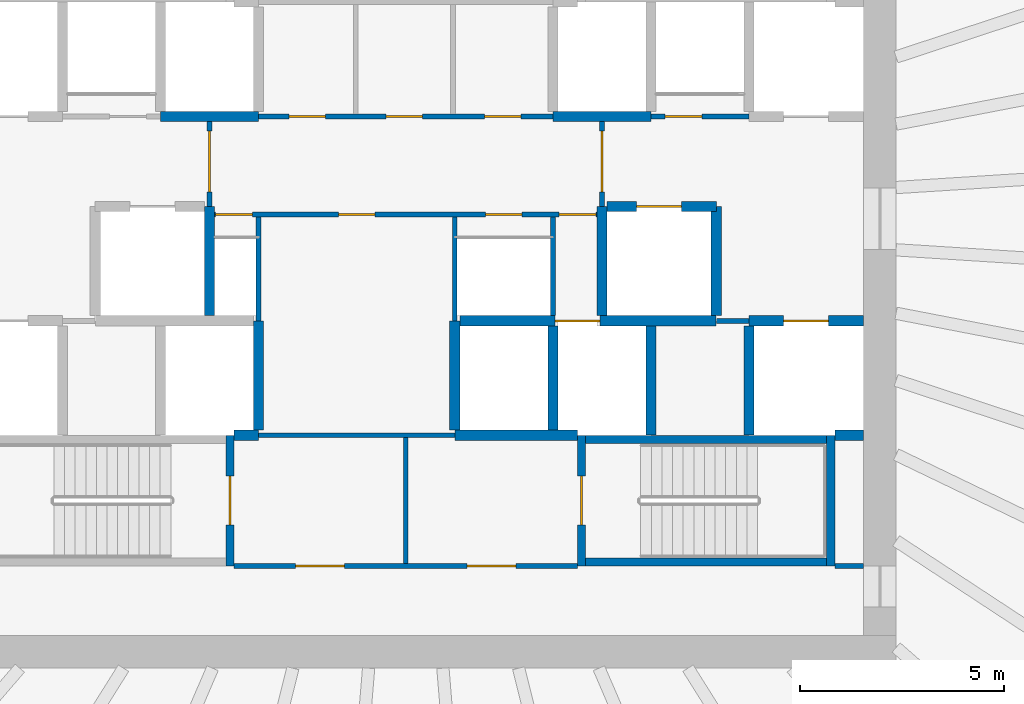
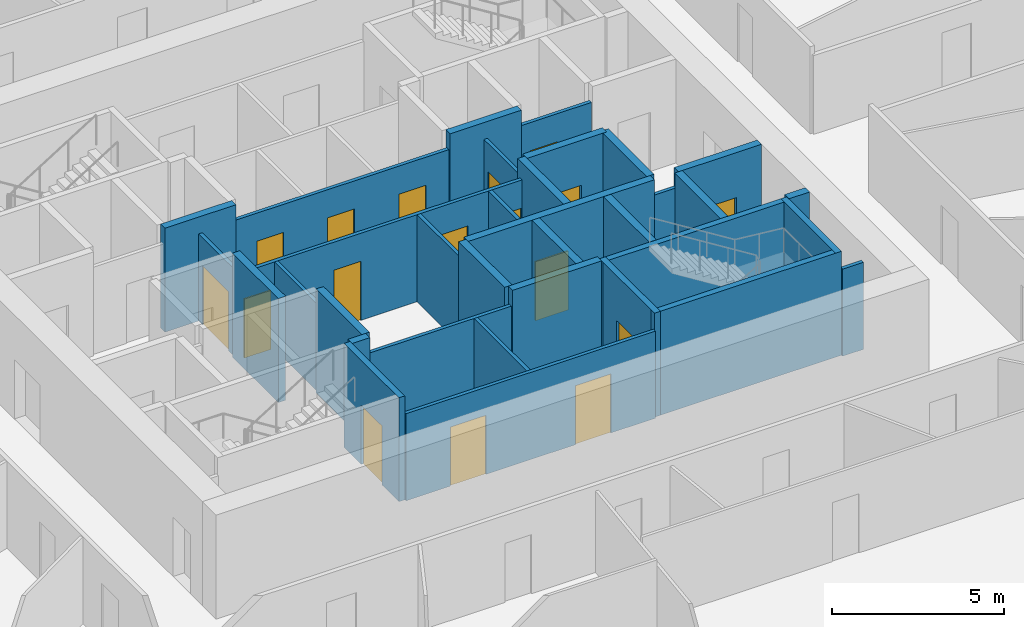
# One storey, part 7 of 10: 34 walls, 17 doors, 17 openings.
"""IFC4 building model written with IfcOpenShell, lengths in metres."""

from ifc_helpers import new_model, si_unit, direction, frame, frame_2d, origin, place, context, subcontext, project, spatial, rectangle, extrude, source, transform, mapped, material, layer, layer_set, type_object, element, fill, save


model = new_model("IFC4")

# Units and contexts
model_context = context("Model", 3, precision=1e-05, world=origin(), true_north=direction((0.0, 1.0)))
body_context = subcontext(model_context, "Body", "Model", "MODEL_VIEW")
ifc_project = project(units=[si_unit("LENGTHUNIT", "METRE"), si_unit("AREAUNIT", "SQUARE_METRE"), si_unit("VOLUMEUNIT", "CUBIC_METRE"), si_unit("PLANEANGLEUNIT", "RADIAN"), si_unit("MASSUNIT", "GRAM", prefix="KILO")], contexts=[model_context])

# Site, building, storey
site_placement = place(None, origin())
site = spatial("IfcSite", under=ifc_project, at=site_placement, CompositionType="ELEMENT")
building_placement = place(site_placement, origin())
building = spatial("IfcBuilding", under=site, at=building_placement, Name="Embergate Tower", CompositionType="ELEMENT")
storey_placement = place(building_placement, frame((0.0, 0.0, 175.5)))
storey = spatial("IfcBuildingStorey", under=building, at=storey_placement, Name="L39", CompositionType="ELEMENT", Elevation=175.5)

# Walls
ifc_material_1 = material(Name="Concrete C50", Category="concrete")
ifc_layer_1 = layer(ifc_material_1, 0.25)
ifc_layer_set_1 = layer_set([ifc_layer_1], Name="Concrete C50")
wall_type_1 = type_object("IfcWallType", Name="Hoistway wall reinforced concrete 250", PredefinedType="SHEAR", material=ifc_layer_set_1)
shared_shape_1 = source(origin(), body_context, "Body", "SweptSolid", [
    extrude(rectangle(XDim=2.675048828125, YDim=0.25, at=frame_2d((1.33740234375, 0.0))), origin(), (0.0, 0.0, 1.0), 3.699951171875),
])
for number, where, z_axis, x_axis, name in (
    (1, (-3.60009765625, -5.175048828125, 0.0), (0.0, 0.0, 1.0), (0.0, 1.0, 0.0), "HW-1 wall"),
    (2, (1.199951171875, -2.5, 0.0), (0.0, 0.0, 1.0), (0.0, -1.0, 0.0), "HW-1 wall"),
    (3, (-4.800048828125, 0.300048828125, 0.0), (0.0, 0.0, 1.0), (0.0, -1.0, 0.0), "HW-1 wall"),
    (4, (4.800048828125, -2.375, 0.0), (0.0, 0.0, 1.0), (0.0, 1.0, 0.0), "HW-1 wall"),
):
    element("IfcWall", number, at=place(storey_placement, frame(where, z_axis=z_axis, x_axis=x_axis)), inside=storey, type_object=wall_type_1, Name=name, PredefinedType="SHEAR", context=body_context, shape_type="MappedRepresentation", body=[
        mapped(shared_shape_1, transform((0.0, 0.0, 0.0))),
    ])

# Wall, opening, door
wall_1_placement = place(storey_placement, frame((7.60009765625, 0.300048828125, 0.0), z_axis=(0.0, 0.0, 1.0), x_axis=(-1.0, 0.0, 0.0)))
wall_1 = element("IfcWall", 5, at=wall_1_placement, inside=storey, type_object=wall_type_1, Name="HW-1 wall", PredefinedType="SHEAR", context=body_context, shape_type="MappedRepresentation", body=[
    mapped(shared_shape_1, transform((0.0, 0.0, 0.0))),
])
shared_shape_2 = source(origin(), body_context, "Body", "SweptSolid", [
    extrude(rectangle(XDim=1.10009765625, YDim=2.10009765625, at=frame_2d((0.550048828125, 1.050048828125))), frame((0.0, 0.135009765625, 0.0), z_axis=(0.0, -1.0, 0.0), x_axis=(1.0, 0.0, 0.0)), (0.0, 0.0, 1.0), 0.27001953125),
])
opening_1_placement = place(wall_1_placement, frame((0.85009765625, 0.0, 0.0)))
opening_1 = element("IfcOpeningElement", 6, at=opening_1_placement, cuts=wall_1, Name="Opening LD", PredefinedType="OPENING", context=body_context, shape_type="MappedRepresentation", body=[
    mapped(shared_shape_2, transform((0.0, 0.0, 0.0))),
])
ifc_material_2 = material(Name="Landing door sliding 1100")
door_type_1 = type_object("IfcDoorType", Name="Landing door sliding 1100", OperationType="SLIDING_TO_LEFT", PredefinedType="DOOR", material=ifc_material_2)
shared_shape_3 = source(origin(), body_context, "Body", "SweptSolid", [
    extrude(rectangle(XDim=1.10009765625, YDim=2.10009765625, at=frame_2d((0.550048828125, 1.050048828125))), frame((0.0, 0.02490234375, 0.0), z_axis=(0.0, -1.0, 0.0), x_axis=(1.0, 0.0, 0.0)), (0.0, 0.0, 1.0), 0.050048828125),
])
door_1_placement = place(opening_1_placement, origin())
door_1 = element("IfcDoor", 7, at=door_1_placement, inside=storey, type_object=door_type_1, Name="LD door", OperationType="SLIDING_TO_LEFT", OverallHeight=2.10009765625, OverallWidth=1.10009765625, PredefinedType="DOOR", context=body_context, shape_type="MappedRepresentation", body=[
    mapped(shared_shape_3, transform((0.0, 0.0, 0.0))),
])
fill(opening_1, door_1)

# Walls
wall_2_placement = place(storey_placement, frame((7.60009765625, -2.375, 0.0), z_axis=(0.0, 0.0, 1.0), x_axis=(0.0, 1.0, 0.0)))
element("IfcWall", 8, at=wall_2_placement, inside=storey, type_object=wall_type_1, Name="HW-1 wall", PredefinedType="SHEAR", context=body_context, shape_type="MappedRepresentation", body=[
    mapped(shared_shape_1, transform((0.0, 0.0, 0.0))),
])
ifc_layer_2 = layer(ifc_material_1, 0.199951171875)
ifc_layer_set_2 = layer_set([ifc_layer_2], Name="Concrete C50")
wall_type_2 = type_object("IfcWallType", Name="Stair enclosure wall reinforced concrete 250", PredefinedType="SHEAR", material=ifc_layer_set_2)
shared_shape_4 = source(origin(), body_context, "Body", "SweptSolid", [
    extrude(rectangle(XDim=6.300048828125, YDim=0.199951171875, at=frame_2d((3.14990234375, 0.0))), origin(), (0.0, 0.0, 1.0), 3.699951171875),
])
for number, where, z_axis, x_axis, name in (
    (9, (4.199951171875, -5.39990234375, 0.0), (0.0, 0.0, 1.0), (1.0, 0.0, 0.0), "SE-1 wall"),
    (10, (4.199951171875, -8.39990234375, 0.0), (0.0, 0.0, 1.0), (1.0, 0.0, 0.0), "SE-1 wall"),
):
    element("IfcWall", number, at=place(storey_placement, frame(where, z_axis=z_axis, x_axis=x_axis)), inside=storey, type_object=wall_type_2, Name=name, PredefinedType="SHEAR", context=body_context, shape_type="MappedRepresentation", body=[
        mapped(shared_shape_4, transform((0.0, 0.0, 0.0))),
    ])
shared_shape_5 = source(origin(), body_context, "Body", "SweptSolid", [
    extrude(rectangle(XDim=2.550048828125, YDim=0.25, at=frame_2d((1.27490234375, 0.0))), origin(), (0.0, 0.0, 1.0), 3.699951171875),
])
wall_3_placement = place(storey_placement, frame((3.60009765625, -5.175048828125, 0.0), z_axis=(0.0, 0.0, 1.0), x_axis=(0.0, 1.0, 0.0)))
element("IfcWall", 11, at=wall_3_placement, inside=storey, type_object=wall_type_1, Name="HW-1 wall", PredefinedType="SHEAR", context=body_context, shape_type="MappedRepresentation", body=[
    mapped(shared_shape_5, transform((0.0, 0.0, 0.0))),
])

# Wall, opening, door
ifc_material_3 = material(Name="Core partition blockwork 120")
ifc_layer_3 = layer(ifc_material_3, 0.1201171875)
ifc_layer_set_3 = layer_set([ifc_layer_3], Name="Core partition blockwork 120")
wall_type_3 = type_object("IfcWallType", Name="Core partition blockwork 120", PredefinedType="PARTITIONING", material=ifc_layer_set_3)
shared_shape_6 = source(origin(), body_context, "Body", "SweptSolid", [
    extrude(rectangle(XDim=2.074951171875, YDim=0.1201171875, at=frame_2d((1.03759765625, 0.0))), origin(), (0.0, 0.0, 1.0), 3.10009765625),
])
wall_4_placement = place(storey_placement, frame((-4.800048828125, 2.375, 0.0), z_axis=(0.0, 0.0, 1.0), x_axis=(0.0, -1.0, 0.0)))
wall_4 = element("IfcWall", 12, at=wall_4_placement, inside=storey, type_object=wall_type_3, Name="IP-3 wall", PredefinedType="PARTITIONING", context=body_context, shape_type="MappedRepresentation", body=[
    mapped(shared_shape_6, transform((0.0, 0.0, 0.0))),
])
shared_shape_7 = source(origin(), body_context, "Body", "SweptSolid", [
    extrude(rectangle(XDim=1.5, YDim=2.10009765625, at=frame_2d((0.75, 1.050048828125))), frame((0.0, 0.070068359375, 0.0), z_axis=(0.0, -1.0, 0.0), x_axis=(1.0, 0.0, 0.0)), (0.0, 0.0, 1.0), 0.14013671875),
])
opening_2_placement = place(wall_4_placement, frame((0.22509765625, 0.0, 0.0)))
opening_2 = element("IfcOpeningElement", 13, at=opening_2_placement, cuts=wall_4, Name="Opening IF-3", PredefinedType="OPENING", context=body_context, shape_type="MappedRepresentation", body=[
    mapped(shared_shape_7, transform((0.0, 0.0, 0.0))),
])
ifc_material_4 = material(Name="Lobby fire door pair 1500")
door_type_2 = type_object("IfcDoorType", Name="Lobby fire door pair 1500", OperationType="DOUBLE_DOOR_SINGLE_SWING", PredefinedType="DOOR", material=ifc_material_4)
shared_shape_8 = source(origin(), body_context, "Body", "SweptSolid", [
    extrude(rectangle(XDim=1.5, YDim=2.10009765625, at=frame_2d((0.75, 1.050048828125))), frame((0.0, 0.02490234375, 0.0), z_axis=(0.0, -1.0, 0.0), x_axis=(1.0, 0.0, 0.0)), (0.0, 0.0, 1.0), 0.050048828125),
])
door_2_placement = place(opening_2_placement, origin())
door_2 = element("IfcDoor", 14, at=door_2_placement, inside=storey, type_object=door_type_2, Name="IF-3 door", OperationType="DOUBLE_DOOR_SINGLE_SWING", OverallHeight=2.10009765625, OverallWidth=1.5, PredefinedType="DOOR", context=body_context, shape_type="MappedRepresentation", body=[
    mapped(shared_shape_8, transform((0.0, 0.0, 0.0))),
])
fill(opening_2, door_2)

wall_5_placement = place(storey_placement, frame((4.800048828125, 0.300048828125, 0.0), z_axis=(0.0, 0.0, 1.0), x_axis=(0.0, 1.0, 0.0)))
wall_5 = element("IfcWall", 15, at=wall_5_placement, inside=storey, type_object=wall_type_3, Name="IP-3 wall", PredefinedType="PARTITIONING", context=body_context, shape_type="MappedRepresentation", body=[
    mapped(shared_shape_6, transform((0.0, 0.0, 0.0))),
])
opening_3_placement = place(wall_5_placement, frame((0.35009765625, 0.0, 0.0)))
opening_3 = element("IfcOpeningElement", 16, at=opening_3_placement, cuts=wall_5, Name="Opening IF-3", PredefinedType="OPENING", context=body_context, shape_type="MappedRepresentation", body=[
    mapped(shared_shape_7, transform((0.0, 0.0, 0.0))),
])
door_3_placement = place(opening_3_placement, origin())
door_3 = element("IfcDoor", 17, at=door_3_placement, inside=storey, type_object=door_type_2, Name="IF-3 door", OperationType="DOUBLE_DOOR_SINGLE_SWING", OverallHeight=2.10009765625, OverallWidth=1.5, PredefinedType="DOOR", context=body_context, shape_type="MappedRepresentation", body=[
    mapped(shared_shape_8, transform((0.0, 0.0, 0.0))),
])
fill(opening_3, door_3)

shared_shape_9 = source(origin(), body_context, "Body", "SweptSolid", [
    extrude(rectangle(XDim=3.199951171875, YDim=0.199951171875, at=frame_2d((1.60009765625, 0.0))), origin(), (0.0, 0.0, 1.0), 3.699951171875),
])
wall_6_placement = place(storey_placement, frame((-4.300048828125, -8.5, 0.0), z_axis=(0.0, 0.0, 1.0), x_axis=(0.0, 1.0, 0.0)))
wall_6 = element("IfcWall", 18, at=wall_6_placement, inside=storey, type_object=wall_type_2, Name="SE-1 wall", PredefinedType="SHEAR", context=body_context, shape_type="MappedRepresentation", body=[
    mapped(shared_shape_9, transform((0.0, 0.0, 0.0))),
])
shared_shape_10 = source(origin(), body_context, "Body", "SweptSolid", [
    extrude(rectangle(XDim=1.199951171875, YDim=2.10009765625, at=frame_2d((0.60009765625, 1.050048828125))), frame((0.0, 0.10986328125, 0.0), z_axis=(0.0, -1.0, 0.0), x_axis=(1.0, 0.0, 0.0)), (0.0, 0.0, 1.0), 0.219970703125),
])
opening_4_placement = place(wall_6_placement, frame((1.0, 0.0, 0.0)))
opening_4 = element("IfcOpeningElement", 19, at=opening_4_placement, cuts=wall_6, Name="Opening IF-2", PredefinedType="OPENING", context=body_context, shape_type="MappedRepresentation", body=[
    mapped(shared_shape_10, transform((0.0, 0.0, 0.0))),
])
ifc_material_5 = material(Name="Stair enclosure door 1200")
door_type_3 = type_object("IfcDoorType", Name="Stair enclosure door 1200", OperationType="SINGLE_SWING_LEFT", PredefinedType="DOOR", material=ifc_material_5)
shared_shape_11 = source(origin(), body_context, "Body", "SweptSolid", [
    extrude(rectangle(XDim=1.199951171875, YDim=2.10009765625, at=frame_2d((0.60009765625, 1.050048828125))), frame((0.0, 0.02490234375, 0.0), z_axis=(0.0, -1.0, 0.0), x_axis=(1.0, 0.0, 0.0)), (0.0, 0.0, 1.0), 0.050048828125),
])
door_4_placement = place(opening_4_placement, origin())
door_4 = element("IfcDoor", 20, at=door_4_placement, inside=storey, type_object=door_type_3, Name="IF-2 door", OperationType="SINGLE_SWING_RIGHT", OverallHeight=2.10009765625, OverallWidth=1.199951171875, PredefinedType="DOOR", context=body_context, shape_type="MappedRepresentation", body=[
    mapped(shared_shape_11, transform((0.0, 0.0, 0.0))),
])
fill(opening_4, door_4)

wall_7_placement = place(storey_placement, frame((4.300048828125, -5.300048828125, 0.0), z_axis=(0.0, 0.0, 1.0), x_axis=(0.0, -1.0, 0.0)))
wall_7 = element("IfcWall", 21, at=wall_7_placement, inside=storey, type_object=wall_type_2, Name="SE-1 wall", PredefinedType="SHEAR", context=body_context, shape_type="MappedRepresentation", body=[
    mapped(shared_shape_9, transform((0.0, 0.0, 0.0))),
])
opening_5_placement = place(wall_7_placement, frame((1.0, 0.0, 0.0)))
opening_5 = element("IfcOpeningElement", 22, at=opening_5_placement, cuts=wall_7, Name="Opening IF-2", PredefinedType="OPENING", context=body_context, shape_type="MappedRepresentation", body=[
    mapped(shared_shape_10, transform((0.0, 0.0, 0.0))),
])
door_5_placement = place(opening_5_placement, origin())
door_5 = element("IfcDoor", 23, at=door_5_placement, inside=storey, type_object=door_type_3, Name="IF-2 door", OperationType="SINGLE_SWING_RIGHT", OverallHeight=2.10009765625, OverallWidth=1.199951171875, PredefinedType="DOOR", context=body_context, shape_type="MappedRepresentation", body=[
    mapped(shared_shape_11, transform((0.0, 0.0, 0.0))),
])
fill(opening_5, door_5)

# Walls
shared_shape_12 = source(origin(), body_context, "Body", "SweptSolid", [
    extrude(rectangle(XDim=2.39990234375, YDim=0.25, at=frame_2d((1.199951171875, 0.0))), origin(), (0.0, 0.0, 1.0), 3.699951171875),
])
for number, where, z_axis, x_axis, name in (
    (24, (-6.0, 2.5, 0.0), (0.0, 0.0, 1.0), (1.0, 0.0, 0.0), "HW-1 wall"),
    (25, (3.60009765625, 2.5, 0.0), (0.0, 0.0, 1.0), (1.0, 0.0, 0.0), "HW-1 wall"),
):
    element("IfcWall", number, at=place(storey_placement, frame(where, z_axis=z_axis, x_axis=x_axis)), inside=storey, type_object=wall_type_1, Name=name, PredefinedType="SHEAR", context=body_context, shape_type="MappedRepresentation", body=[
        mapped(shared_shape_12, transform((0.0, 0.0, 0.0))),
    ])

# Wall, openings, doors
shared_shape_13 = source(origin(), body_context, "Body", "SweptSolid", [
    extrude(rectangle(XDim=8.39990234375, YDim=0.1201171875, at=frame_2d((4.199951171875, 0.0))), origin(), (0.0, 0.0, 1.0), 3.10009765625),
])
wall_8_placement = place(storey_placement, frame((-4.199951171875, -8.5, 0.0), z_axis=(0.0, 0.0, 1.0), x_axis=(1.0, 0.0, 0.0)))
wall_8 = element("IfcWall", 26, at=wall_8_placement, inside=storey, type_object=wall_type_3, Name="IP-3 wall", PredefinedType="PARTITIONING", context=body_context, shape_type="MappedRepresentation", body=[
    mapped(shared_shape_13, transform((0.0, 0.0, 0.0))),
])
shared_shape_14 = source(origin(), body_context, "Body", "SweptSolid", [
    extrude(rectangle(XDim=1.199951171875, YDim=2.10009765625, at=frame_2d((0.60009765625, 1.050048828125))), frame((0.0, 0.070068359375, 0.0), z_axis=(0.0, -1.0, 0.0), x_axis=(1.0, 0.0, 0.0)), (0.0, 0.0, 1.0), 0.14013671875),
])
opening_6_placement = place(wall_8_placement, frame((1.5, 0.0, 0.0)))
opening_6 = element("IfcOpeningElement", 27, at=opening_6_placement, cuts=wall_8, Name="Opening IF-3f", PredefinedType="OPENING", context=body_context, shape_type="MappedRepresentation", body=[
    mapped(shared_shape_14, transform((0.0, 0.0, 0.0))),
])
opening_7_placement = place(wall_8_placement, frame((5.699951171875, 0.0, 0.0)))
opening_7 = element("IfcOpeningElement", 28, at=opening_7_placement, cuts=wall_8, Name="Opening IF-3f", PredefinedType="OPENING", context=body_context, shape_type="MappedRepresentation", body=[
    mapped(shared_shape_14, transform((0.0, 0.0, 0.0))),
])
ifc_material_6 = material(Name="Lobby fire door pair 1200")
door_type_4 = type_object("IfcDoorType", Name="Lobby fire door pair 1200", OperationType="DOUBLE_DOOR_SINGLE_SWING", PredefinedType="DOOR", material=ifc_material_6)
door_6_placement = place(opening_6_placement, origin())
door_6 = element("IfcDoor", 29, at=door_6_placement, inside=storey, type_object=door_type_4, Name="IF-3 door", OperationType="DOUBLE_DOOR_SINGLE_SWING", OverallHeight=2.10009765625, OverallWidth=1.199951171875, PredefinedType="DOOR", context=body_context, shape_type="MappedRepresentation", body=[
    mapped(shared_shape_11, transform((0.0, 0.0, 0.0))),
])
fill(opening_6, door_6)
door_7_placement = place(opening_7_placement, origin())
door_7 = element("IfcDoor", 30, at=door_7_placement, inside=storey, type_object=door_type_4, Name="IF-3 door", OperationType="DOUBLE_DOOR_SINGLE_SWING", OverallHeight=2.10009765625, OverallWidth=1.199951171875, PredefinedType="DOOR", context=body_context, shape_type="MappedRepresentation", body=[
    mapped(shared_shape_11, transform((0.0, 0.0, 0.0))),
])
fill(opening_7, door_7)

# Wall, opening, door
shared_shape_15 = source(origin(), body_context, "Body", "SweptSolid", [
    extrude(rectangle(XDim=2.800048828125, YDim=0.25, at=frame_2d((1.39990234375, 0.0))), origin(), (0.0, 0.0, 1.0), 3.699951171875),
])
wall_9_placement = place(storey_placement, frame((11.199951171875, -2.5, 0.0), z_axis=(0.0, 0.0, 1.0), x_axis=(-1.0, 0.0, 0.0)))
wall_9 = element("IfcWall", 31, at=wall_9_placement, inside=storey, type_object=wall_type_1, Name="HW-1 wall", PredefinedType="SHEAR", context=body_context, shape_type="MappedRepresentation", body=[
    mapped(shared_shape_15, transform((0.0, 0.0, 0.0))),
])
opening_8_placement = place(wall_9_placement, frame((0.85009765625, 0.0, 0.0)))
opening_8 = element("IfcOpeningElement", 32, at=opening_8_placement, cuts=wall_9, Name="Opening LD", PredefinedType="OPENING", context=body_context, shape_type="MappedRepresentation", body=[
    mapped(shared_shape_2, transform((0.0, 0.0, 0.0))),
])
door_8_placement = place(opening_8_placement, origin())
door_8 = element("IfcDoor", 33, at=door_8_placement, inside=storey, type_object=door_type_1, Name="LD door", OperationType="SLIDING_TO_RIGHT", OverallHeight=2.10009765625, OverallWidth=1.10009765625, PredefinedType="DOOR", context=body_context, shape_type="MappedRepresentation", body=[
    mapped(shared_shape_3, transform((0.0, 0.0, 0.0))),
])
fill(opening_8, door_8)

shared_shape_16 = source(origin(), body_context, "Body", "SweptSolid", [
    extrude(rectangle(XDim=2.39990234375, YDim=0.1201171875, at=frame_2d((1.199951171875, 0.0))), origin(), (0.0, 0.0, 1.0), 3.10009765625),
])
wall_10_placement = place(storey_placement, frame((6.0, 2.5, 0.0), z_axis=(0.0, 0.0, 1.0), x_axis=(1.0, 0.0, 0.0)))
wall_10 = element("IfcWall", 34, at=wall_10_placement, inside=storey, type_object=wall_type_3, Name="IP-3 wall", PredefinedType="PARTITIONING", context=body_context, shape_type="MappedRepresentation", body=[
    mapped(shared_shape_16, transform((0.0, 0.0, 0.0))),
])
shared_shape_17 = source(origin(), body_context, "Body", "SweptSolid", [
    extrude(rectangle(XDim=0.89990234375, YDim=2.10009765625, at=frame_2d((0.449951171875, 1.050048828125))), frame((0.0, 0.070068359375, 0.0), z_axis=(0.0, -1.0, 0.0), x_axis=(1.0, 0.0, 0.0)), (0.0, 0.0, 1.0), 0.14013671875),
])
opening_9_placement = place(wall_10_placement, frame((0.35009765625, 0.0, 0.0)))
opening_9 = element("IfcOpeningElement", 35, at=opening_9_placement, cuts=wall_10, Name="Opening ID-1", PredefinedType="OPENING", context=body_context, shape_type="MappedRepresentation", body=[
    mapped(shared_shape_17, transform((0.0, 0.0, 0.0))),
])
ifc_material_7 = material(Name="Interior door 900")
door_type_5 = type_object("IfcDoorType", Name="Interior door 900", OperationType="SINGLE_SWING_LEFT", PredefinedType="DOOR", material=ifc_material_7)
shared_shape_18 = source(origin(), body_context, "Body", "SweptSolid", [
    extrude(rectangle(XDim=0.89990234375, YDim=2.10009765625, at=frame_2d((0.449951171875, 1.050048828125))), frame((0.0, 0.02490234375, 0.0), z_axis=(0.0, -1.0, 0.0), x_axis=(1.0, 0.0, 0.0)), (0.0, 0.0, 1.0), 0.050048828125),
])
door_9_placement = place(opening_9_placement, origin())
door_9 = element("IfcDoor", 36, at=door_9_placement, inside=storey, type_object=door_type_5, Name="ID-1 door", OperationType="SINGLE_SWING_RIGHT", OverallHeight=2.10009765625, OverallWidth=0.89990234375, PredefinedType="DOOR", context=body_context, shape_type="MappedRepresentation", body=[
    mapped(shared_shape_18, transform((0.0, 0.0, 0.0))),
])
fill(opening_9, door_9)

# Wall
shared_shape_19 = source(origin(), body_context, "Body", "SweptSolid", [
    extrude(rectangle(XDim=0.599853515625, YDim=0.25, at=frame_2d((0.2998046875, 0.0))), origin(), (0.0, 0.0, 1.0), 3.699951171875),
])
wall_11_placement = place(storey_placement, frame((-4.199951171875, -5.300048828125, 0.0), z_axis=(0.0, 0.0, 1.0), x_axis=(1.0, 0.0, 0.0)))
element("IfcWall", 37, at=wall_11_placement, inside=storey, type_object=wall_type_1, Name="HW-1 wall", PredefinedType="SHEAR", context=body_context, shape_type="MappedRepresentation", body=[
    mapped(shared_shape_19, transform((0.0, 0.0, 0.0))),
])

# Wall, opening, door
shared_shape_20 = source(origin(), body_context, "Body", "SweptSolid", [
    extrude(rectangle(XDim=6.27294921875, YDim=0.25, at=frame_2d((3.136474609375, 0.0))), origin(), (0.0, 0.0, 1.0), 3.699951171875),
])
wall_12_placement = place(storey_placement, frame((7.597900390625, -2.5, 0.0), z_axis=(0.0, 0.0, 1.0), x_axis=(-1.0, 0.0, 0.0)))
wall_12 = element("IfcWall", 38, at=wall_12_placement, inside=storey, type_object=wall_type_1, Name="HW-1 wall", PredefinedType="SHEAR", context=body_context, shape_type="MappedRepresentation", body=[
    mapped(shared_shape_20, transform((0.0, 0.0, 0.0))),
])
opening_10_placement = place(wall_12_placement, frame((2.847900390625, 0.0, 0.0)))
opening_10 = element("IfcOpeningElement", 39, at=opening_10_placement, cuts=wall_12, Name="Opening LD", PredefinedType="OPENING", context=body_context, shape_type="MappedRepresentation", body=[
    mapped(shared_shape_2, transform((0.0, 0.0, 0.0))),
])
door_10_placement = place(opening_10_placement, origin())
door_10 = element("IfcDoor", 40, at=door_10_placement, inside=storey, type_object=door_type_1, Name="LD door", OperationType="SLIDING_TO_LEFT", OverallHeight=2.10009765625, OverallWidth=1.10009765625, PredefinedType="DOOR", context=body_context, shape_type="MappedRepresentation", body=[
    mapped(shared_shape_3, transform((0.0, 0.0, 0.0))),
])
fill(opening_10, door_10)

# Wall
shared_shape_21 = source(origin(), body_context, "Body", "SweptSolid", [
    extrude(rectangle(XDim=3.0, YDim=0.25, at=frame_2d((1.5, 0.0))), origin(), (0.0, 0.0, 1.0), 3.699951171875),
])
wall_13_placement = place(storey_placement, frame((1.199951171875, -5.300048828125, 0.0), z_axis=(0.0, 0.0, 1.0), x_axis=(1.0, 0.0, 0.0)))
element("IfcWall", 41, at=wall_13_placement, inside=storey, type_object=wall_type_1, Name="HW-1 wall", PredefinedType="SHEAR", context=body_context, shape_type="MappedRepresentation", body=[
    mapped(shared_shape_21, transform((0.0, 0.0, 0.0))),
])

# Wall, openings, doors
shared_shape_22 = source(origin(), body_context, "Body", "SweptSolid", [
    extrude(rectangle(XDim=9.35009765625, YDim=0.1201171875, at=frame_2d((4.675048828125, 0.0))), origin(), (0.0, 0.0, 1.0), 3.10009765625),
])
wall_14_placement = place(storey_placement, frame((-4.675048828125, 0.10009765625, 0.0), z_axis=(0.0, 0.0, 1.0), x_axis=(1.0, 0.0, 0.0)))
wall_14 = element("IfcWall", 42, at=wall_14_placement, inside=storey, type_object=wall_type_3, Name="IP-3 wall", PredefinedType="PARTITIONING", context=body_context, shape_type="MappedRepresentation", body=[
    mapped(shared_shape_22, transform((0.0, 0.0, 0.0))),
])
opening_11_placement = place(wall_14_placement, frame((8.425048828125, 0.0, 0.0)))
opening_11 = element("IfcOpeningElement", 43, at=opening_11_placement, cuts=wall_14, Name="Opening IF-3c", PredefinedType="OPENING", context=body_context, shape_type="MappedRepresentation", body=[
    mapped(shared_shape_17, transform((0.0, 0.0, 0.0))),
])
opening_12_placement = place(wall_14_placement, frame((0.02490234375, 0.0, 0.0)))
opening_12 = element("IfcOpeningElement", 44, at=opening_12_placement, cuts=wall_14, Name="Opening ID-1", PredefinedType="OPENING", context=body_context, shape_type="MappedRepresentation", body=[
    mapped(shared_shape_17, transform((0.0, 0.0, 0.0))),
])
opening_13_placement = place(wall_14_placement, frame((6.625, 0.0, 0.0)))
opening_13 = element("IfcOpeningElement", 45, at=opening_13_placement, cuts=wall_14, Name="Opening ID-1", PredefinedType="OPENING", context=body_context, shape_type="MappedRepresentation", body=[
    mapped(shared_shape_17, transform((0.0, 0.0, 0.0))),
])
opening_14_placement = place(wall_14_placement, frame((3.02490234375, 0.0, 0.0)))
opening_14 = element("IfcOpeningElement", 46, at=opening_14_placement, cuts=wall_14, Name="Opening ID-1", PredefinedType="OPENING", context=body_context, shape_type="MappedRepresentation", body=[
    mapped(shared_shape_17, transform((0.0, 0.0, 0.0))),
])
ifc_material_8 = material(Name="Lobby fire door pair 900")
door_type_6 = type_object("IfcDoorType", Name="Lobby fire door pair 900", OperationType="DOUBLE_DOOR_SINGLE_SWING", PredefinedType="DOOR", material=ifc_material_8)
door_11_placement = place(opening_11_placement, origin())
door_11 = element("IfcDoor", 47, at=door_11_placement, inside=storey, type_object=door_type_6, Name="IF-3 door", OperationType="DOUBLE_DOOR_SINGLE_SWING", OverallHeight=2.10009765625, OverallWidth=0.89990234375, PredefinedType="DOOR", context=body_context, shape_type="MappedRepresentation", body=[
    mapped(shared_shape_18, transform((0.0, 0.0, 0.0))),
])
fill(opening_11, door_11)
door_12_placement = place(opening_12_placement, origin())
door_12 = element("IfcDoor", 48, at=door_12_placement, inside=storey, type_object=door_type_5, Name="ID-1 door", OperationType="SINGLE_SWING_LEFT", OverallHeight=2.10009765625, OverallWidth=0.89990234375, PredefinedType="DOOR", context=body_context, shape_type="MappedRepresentation", body=[
    mapped(shared_shape_18, transform((0.0, 0.0, 0.0))),
])
fill(opening_12, door_12)
door_13_placement = place(opening_13_placement, origin())
door_13 = element("IfcDoor", 49, at=door_13_placement, inside=storey, type_object=door_type_5, Name="ID-1 door", OperationType="SINGLE_SWING_LEFT", OverallHeight=2.10009765625, OverallWidth=0.89990234375, PredefinedType="DOOR", context=body_context, shape_type="MappedRepresentation", body=[
    mapped(shared_shape_18, transform((0.0, 0.0, 0.0))),
])
fill(opening_13, door_13)
door_14_placement = place(opening_14_placement, origin())
door_14 = element("IfcDoor", 50, at=door_14_placement, inside=storey, type_object=door_type_5, Name="ID-1 door", OperationType="SINGLE_SWING_RIGHT", OverallHeight=2.10009765625, OverallWidth=0.89990234375, PredefinedType="DOOR", context=body_context, shape_type="MappedRepresentation", body=[
    mapped(shared_shape_18, transform((0.0, 0.0, 0.0))),
])
fill(opening_14, door_14)

shared_shape_23 = source(origin(), body_context, "Body", "SweptSolid", [
    extrude(rectangle(XDim=7.2001953125, YDim=0.1201171875, at=frame_2d((3.60009765625, 0.0))), origin(), (0.0, 0.0, 1.0), 3.10009765625),
])
wall_15_placement = place(storey_placement, frame((3.60009765625, 2.5, 0.0), z_axis=(0.0, 0.0, 1.0), x_axis=(-1.0, 0.0, 0.0)))
wall_15 = element("IfcWall", 51, at=wall_15_placement, inside=storey, type_object=wall_type_3, Name="IP-3 wall", PredefinedType="PARTITIONING", context=body_context, shape_type="MappedRepresentation", body=[
    mapped(shared_shape_23, transform((0.0, 0.0, 0.0))),
])
opening_15_placement = place(wall_15_placement, frame((5.56201171875, 0.0, 0.0)))
opening_15 = element("IfcOpeningElement", 52, at=opening_15_placement, cuts=wall_15, Name="Opening ID-1", PredefinedType="OPENING", context=body_context, shape_type="MappedRepresentation", body=[
    mapped(shared_shape_17, transform((0.0, 0.0, 0.0))),
])
opening_16_placement = place(wall_15_placement, frame((3.18603515625, 0.0, 0.0)))
opening_16 = element("IfcOpeningElement", 53, at=opening_16_placement, cuts=wall_15, Name="Opening ID-1", PredefinedType="OPENING", context=body_context, shape_type="MappedRepresentation", body=[
    mapped(shared_shape_17, transform((0.0, 0.0, 0.0))),
])
opening_17_placement = place(wall_15_placement, frame((0.77392578125, 0.0, 0.0)))
opening_17 = element("IfcOpeningElement", 54, at=opening_17_placement, cuts=wall_15, Name="Opening ID-1", PredefinedType="OPENING", context=body_context, shape_type="MappedRepresentation", body=[
    mapped(shared_shape_17, transform((0.0, 0.0, 0.0))),
])
door_15_placement = place(opening_15_placement, origin())
door_15 = element("IfcDoor", 55, at=door_15_placement, inside=storey, type_object=door_type_5, Name="ID-1 door", OperationType="SINGLE_SWING_LEFT", OverallHeight=2.10009765625, OverallWidth=0.89990234375, PredefinedType="DOOR", context=body_context, shape_type="MappedRepresentation", body=[
    mapped(shared_shape_18, transform((0.0, 0.0, 0.0))),
])
fill(opening_15, door_15)
door_16_placement = place(opening_16_placement, origin())
door_16 = element("IfcDoor", 56, at=door_16_placement, inside=storey, type_object=door_type_5, Name="ID-1 door", OperationType="SINGLE_SWING_LEFT", OverallHeight=2.10009765625, OverallWidth=0.89990234375, PredefinedType="DOOR", context=body_context, shape_type="MappedRepresentation", body=[
    mapped(shared_shape_18, transform((0.0, 0.0, 0.0))),
])
fill(opening_16, door_16)
door_17_placement = place(opening_17_placement, origin())
door_17 = element("IfcDoor", 57, at=door_17_placement, inside=storey, type_object=door_type_5, Name="ID-1 door", OperationType="SINGLE_SWING_RIGHT", OverallHeight=2.10009765625, OverallWidth=0.89990234375, PredefinedType="DOOR", context=body_context, shape_type="MappedRepresentation", body=[
    mapped(shared_shape_18, transform((0.0, 0.0, 0.0))),
])
fill(opening_17, door_17)

# Walls
shared_shape_24 = source(origin(), body_context, "Body", "SweptSolid", [
    extrude(rectangle(XDim=2.5400390625, YDim=0.1201171875, at=frame_2d((1.27001953125, 0.0))), origin(), (0.0, 0.0, 1.0), 3.10009765625),
])
for number, where, z_axis, x_axis, name in (
    (58, (-3.60009765625, -2.5, 0.0), (0.0, 0.0, 1.0), (0.0, 1.0, 0.0), "IP-3 wall"),
    (59, (1.199951171875, 0.0400390625, 0.0), (0.0, 0.0, 1.0), (0.0, -1.0, 0.0), "IP-3 wall"),
):
    element("IfcWall", number, at=place(storey_placement, frame(where, z_axis=z_axis, x_axis=x_axis)), inside=storey, type_object=wall_type_3, Name=name, PredefinedType="PARTITIONING", context=body_context, shape_type="MappedRepresentation", body=[
        mapped(shared_shape_24, transform((0.0, 0.0, 0.0))),
    ])
shared_shape_25 = source(origin(), body_context, "Body", "SweptSolid", [
    extrude(rectangle(XDim=2.4150390625, YDim=0.1201171875, at=frame_2d((1.20751953125, 0.0))), origin(), (0.0, 0.0, 1.0), 3.10009765625),
])
wall_16_placement = place(storey_placement, frame((3.60009765625, -2.375, 0.0), z_axis=(0.0, 0.0, 1.0), x_axis=(0.0, 1.0, 0.0)))
element("IfcWall", 60, at=wall_16_placement, inside=storey, type_object=wall_type_3, Name="IP-3 wall", PredefinedType="PARTITIONING", context=body_context, shape_type="MappedRepresentation", body=[
    mapped(shared_shape_25, transform((0.0, 0.0, 0.0))),
])
shared_shape_26 = source(origin(), body_context, "Body", "SweptSolid", [
    extrude(rectangle(XDim=3.079833984375, YDim=0.1201171875, at=frame_2d((1.5400390625, 0.0))), origin(), (0.0, 0.0, 1.0), 3.10009765625),
])
wall_17_placement = place(storey_placement, frame((0.0, -8.43994140625, 0.0), z_axis=(0.0, 0.0, 1.0), x_axis=(0.0, 1.0, 0.0)))
element("IfcWall", 61, at=wall_17_placement, inside=storey, type_object=wall_type_3, Name="IP-3 wall", PredefinedType="PARTITIONING", context=body_context, shape_type="MappedRepresentation", body=[
    mapped(shared_shape_26, transform((0.0, 0.0, 0.0))),
])
shared_shape_27 = source(origin(), body_context, "Body", "SweptSolid", [
    extrude(rectangle(XDim=4.800048828125, YDim=0.1201171875, at=frame_2d((2.39990234375, 0.0))), origin(), (0.0, 0.0, 1.0), 3.10009765625),
])
wall_18_placement = place(storey_placement, frame((1.199951171875, -5.300048828125, 0.0), z_axis=(0.0, 0.0, 1.0), x_axis=(-1.0, 0.0, 0.0)))
element("IfcWall", 62, at=wall_18_placement, inside=storey, type_object=wall_type_3, Name="IP-3 wall", PredefinedType="PARTITIONING", context=body_context, shape_type="MappedRepresentation", body=[
    mapped(shared_shape_27, transform((0.0, 0.0, 0.0))),
])
shared_shape_28 = source(origin(), body_context, "Body", "SweptSolid", [
    extrude(rectangle(XDim=3.196044921875, YDim=0.199951171875, at=frame_2d((1.59814453125, 0.0))), origin(), (0.0, 0.0, 1.0), 3.699951171875),
])
wall_19_placement = place(storey_placement, frame((10.39990234375, -8.498046875, 0.0), z_axis=(0.0, 0.0, 1.0), x_axis=(0.0, 1.0, 0.0)))
element("IfcWall", 63, at=wall_19_placement, inside=storey, type_object=wall_type_2, Name="SE-1 wall", PredefinedType="SHEAR", context=body_context, shape_type="MappedRepresentation", body=[
    mapped(shared_shape_28, transform((0.0, 0.0, 0.0))),
])
shared_shape_29 = source(origin(), body_context, "Body", "SweptSolid", [
    extrude(rectangle(XDim=0.697998046875, YDim=0.25, at=frame_2d((0.34912109375, 0.0))), origin(), (0.0, 0.0, 1.0), 3.699951171875),
])
wall_20_placement = place(storey_placement, frame((10.501953125, -5.300048828125, 0.0), z_axis=(0.0, 0.0, 1.0), x_axis=(1.0, 0.0, 0.0)))
element("IfcWall", 64, at=wall_20_placement, inside=storey, type_object=wall_type_1, Name="HW-1 wall", PredefinedType="SHEAR", context=body_context, shape_type="MappedRepresentation", body=[
    mapped(shared_shape_29, transform((0.0, 0.0, 0.0))),
])
shared_shape_30 = source(origin(), body_context, "Body", "SweptSolid", [
    extrude(rectangle(XDim=2.671142578125, YDim=0.25, at=frame_2d((1.33544921875, 0.0))), origin(), (0.0, 0.0, 1.0), 3.699951171875),
])
for number, where, z_axis, x_axis, name in (
    (65, (6.0, -5.298095703125, 0.0), (0.0, 0.0, 1.0), (0.0, 1.0, 0.0), "HW-1 wall"),
    (66, (8.39990234375, -2.626953125, 0.0), (0.0, 0.0, 1.0), (0.0, -1.0, 0.0), "HW-1 wall"),
):
    element("IfcWall", number, at=place(storey_placement, frame(where, z_axis=z_axis, x_axis=x_axis)), inside=storey, type_object=wall_type_1, Name=name, PredefinedType="SHEAR", context=body_context, shape_type="MappedRepresentation", body=[
        mapped(shared_shape_30, transform((0.0, 0.0, 0.0))),
    ])
shared_shape_31 = source(origin(), body_context, "Body", "SweptSolid", [
    extrude(rectangle(XDim=0.7958984375, YDim=0.1201171875, at=frame_2d((0.39794921875, 0.0))), origin(), (0.0, 0.0, 1.0), 3.10009765625),
])
wall_21_placement = place(storey_placement, frame((7.60205078125, -2.5, 0.0), z_axis=(0.0, 0.0, 1.0), x_axis=(1.0, 0.0, 0.0)))
element("IfcWall", 67, at=wall_21_placement, inside=storey, type_object=wall_type_3, Name="IP-3 wall", PredefinedType="PARTITIONING", context=body_context, shape_type="MappedRepresentation", body=[
    mapped(shared_shape_31, transform((0.0, 0.0, 0.0))),
])
shared_shape_32 = source(origin(), body_context, "Body", "SweptSolid", [
    extrude(rectangle(XDim=0.697998046875, YDim=0.1201171875, at=frame_2d((0.34912109375, 0.0))), origin(), (0.0, 0.0, 1.0), 3.10009765625),
])
wall_22_placement = place(storey_placement, frame((11.199951171875, -8.5, 0.0), z_axis=(0.0, 0.0, 1.0), x_axis=(-1.0, 0.0, 0.0)))
element("IfcWall", 68, at=wall_22_placement, inside=storey, type_object=wall_type_3, Name="IP-3 wall", PredefinedType="PARTITIONING", context=body_context, shape_type="MappedRepresentation", body=[
    mapped(shared_shape_32, transform((0.0, 0.0, 0.0))),
])

save(model, "model.ifc")
